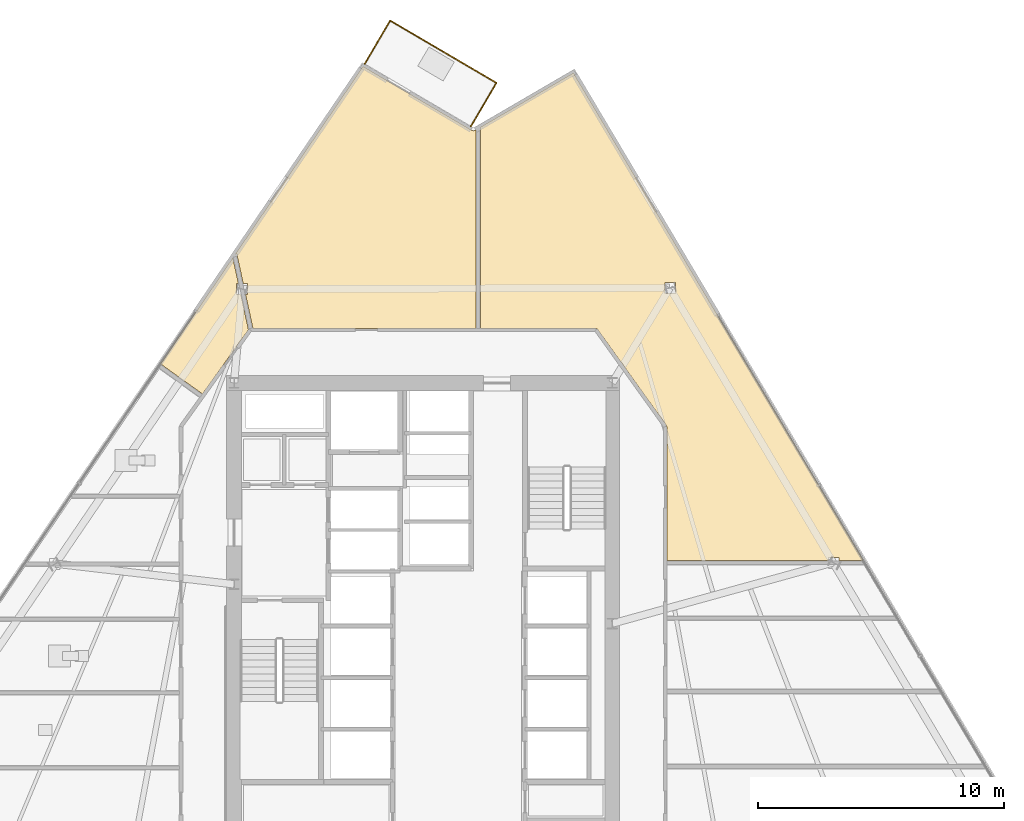
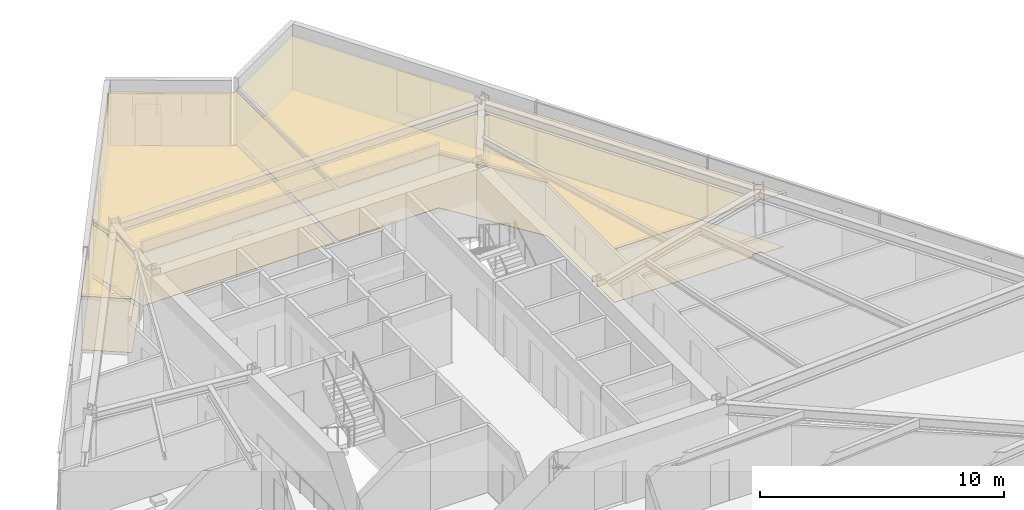
# One storey, part 14 of 15: 6 coverings, 3 railings.
"""IFC4 building model written with IfcOpenShell, lengths in metres."""

from ifc_helpers import new_model, si_unit, direction, frame, origin, origin_2d, place, context, subcontext, project, spatial, polyline, circle, outline, extrude, material, layer, layer_set, type_object, element, save


model = new_model("IFC4")

# Units and contexts
model_context = context("Model", 3, precision=1e-05, world=origin(), true_north=direction((0.0, 1.0)))
body_context = subcontext(model_context, "Body", "Model", "MODEL_VIEW")
ifc_project = project(units=[si_unit("LENGTHUNIT", "METRE"), si_unit("AREAUNIT", "SQUARE_METRE"), si_unit("VOLUMEUNIT", "CUBIC_METRE"), si_unit("PLANEANGLEUNIT", "RADIAN"), si_unit("MASSUNIT", "GRAM", prefix="KILO")], contexts=[model_context])

# Site, building, storey
site_placement = place(None, origin())
site = spatial("IfcSite", under=ifc_project, at=site_placement, CompositionType="ELEMENT")
building_placement = place(site_placement, origin())
building = spatial("IfcBuilding", under=site, at=building_placement, Name="Savorim Split Tower", CompositionType="ELEMENT")
storey_placement = place(building_placement, frame((0.0, 0.0, 96.89990234375)))
storey = spatial("IfcBuildingStorey", under=building, at=storey_placement, Name="L25", CompositionType="ELEMENT", Elevation=96.89990234375)

# Coverings
ifc_material_1 = material(Name="Mineral Fibre Acoustic Ceiling")
ifc_layer_1 = layer(ifc_material_1, 0.02490234375)
ifc_layer_set_1 = layer_set([ifc_layer_1], Name="COV-CEIL-25")
covering_type_1 = type_object("IfcCoveringType", Name="COV-CEIL-25", PredefinedType="CEILING", material=ifc_layer_set_1)
covering_1_placement = place(storey_placement, frame((0.0, 0.0, 2.670166015625)))
element("IfcCovering", 1, at=covering_1_placement, inside=storey, type_object=covering_type_1, Name="L25 Co-Working Commons Acoustic Ceiling", PredefinedType="CEILING", context=body_context, shape_type="SweptSolid", body=[
    extrude(outline(polyline([(17.9248046875, 2.967041015625), (17.926513671875, 2.967041015625), (6.120849609375, 22.821044921875), (2.3349609375, 20.61474609375), (2.3349609375, 12.419921875), (7.0, 12.419921875), (7.01318359375, 12.41943359375), (7.0263671875, 12.41748046875), (7.039306640625, 12.414306640625), (7.052001953125, 12.409912109375), (7.06396484375, 12.404541015625), (7.075439453125, 12.39794921875), (7.086181640625, 12.39013671875), (7.096435546875, 12.381591796875), (7.105712890625, 12.3720703125), (7.11376953125, 12.361572265625), (9.893798828125, 8.4814453125), (9.901611328125, 8.46923828125), (9.908203125, 8.456298828125), (9.913330078125, 8.44287109375), (9.9169921875, 8.4287109375), (9.919189453125, 8.41455078125), (9.919921875, 8.39990234375), (9.919921875, 2.967041015625), (16.506591796875, 2.967041015625), (16.506591796875, 3.094482421875), (16.935791015625, 3.094482421875), (16.935791015625, 2.967041015625), (17.9248046875, 2.967041015625)]), holes=[polyline([(10.276123046875, 14.29443359375), (9.84716796875, 14.29443359375), (9.84716796875, 13.849365234375), (10.276123046875, 13.849365234375), (10.276123046875, 14.29443359375)])]), origin(), (0.0, 0.0, 1.0), 0.02490234375),
])
covering_2_placement = place(storey_placement, frame((0.0, 0.0, 2.670166015625)))
element("IfcCovering", 2, at=covering_2_placement, inside=storey, type_object=covering_type_1, Name="L25 Co-Working Commons Acoustic Ceiling", PredefinedType="CEILING", context=body_context, shape_type="SweptSolid", body=[
    extrude(outline(polyline([(2.0068359375, 20.472412109375), (1.99609375, 20.476806640625), (1.986083984375, 20.482177734375), (-2.447265625, 23.087646484375), (-7.652587890625, 15.435791015625), (-7.586669921875, 15.4501953125), (-7.32568359375, 14.24560546875), (-7.159912109375, 14.24560546875), (-7.159912109375, 13.800537109375), (-7.22900390625, 13.800537109375), (-6.93359375, 12.4375), (-6.9296875, 12.419921875), (2.14501953125, 12.419921875), (2.14501953125, 20.50390625), (2.107177734375, 20.48193359375), (2.096923828125, 20.4765625), (2.086181640625, 20.472412109375), (2.0751953125, 20.468994140625), (2.06396484375, 20.466796875), (2.052490234375, 20.4658203125), (2.040771484375, 20.4658203125), (2.029296875, 20.466796875), (2.01806640625, 20.468994140625), (2.0068359375, 20.472412109375)])), origin(), (0.0, 0.0, 1.0), 0.02490234375),
])
covering_3_placement = place(storey_placement, frame((0.0, 0.0, 2.670166015625)))
element("IfcCovering", 3, at=covering_3_placement, inside=storey, type_object=covering_type_1, Name="L25 Quiet Study Room Acoustic Ceiling", PredefinedType="CEILING", context=body_context, shape_type="SweptSolid", body=[
    extrude(outline(polyline([(-8.985107421875, 9.749755859375), (-7.11376953125, 12.361572265625), (-7.112060546875, 12.36376953125), (-7.423583984375, 13.800537109375), (-7.589111328125, 13.800537109375), (-7.589111328125, 14.24560546875), (-7.52001953125, 14.24560546875), (-7.747802734375, 15.296142578125), (-10.68994140625, 10.97119140625), (-8.985107421875, 9.749755859375)])), origin(), (0.0, 0.0, 1.0), 0.02490234375),
])
ifc_material_2 = material(Name="Porcelain Stoneware Flooring", Category="masonry")
ifc_layer_2 = layer(ifc_material_2, 0.02001953125)
ifc_layer_set_2 = layer_set([ifc_layer_2], Name="COV-FLOR-20")
covering_type_2 = type_object("IfcCoveringType", Name="COV-FLOR-20", PredefinedType="FLOORING", material=ifc_layer_set_2)
covering_4_placement = place(storey_placement, origin())
element("IfcCovering", 4, at=covering_4_placement, inside=storey, type_object=covering_type_2, Name="L25 Co-Working Commons Porcelain Flooring", PredefinedType="FLOORING", context=body_context, shape_type="SweptSolid", body=[
    extrude(outline(polyline([(17.9248046875, 2.967041015625), (17.926513671875, 2.967041015625), (6.120849609375, 22.821044921875), (2.3349609375, 20.61474609375), (2.3349609375, 12.419921875), (7.0, 12.419921875), (7.01318359375, 12.41943359375), (7.0263671875, 12.41748046875), (7.039306640625, 12.414306640625), (7.052001953125, 12.409912109375), (7.06396484375, 12.404541015625), (7.075439453125, 12.39794921875), (7.086181640625, 12.39013671875), (7.096435546875, 12.381591796875), (7.105712890625, 12.3720703125), (7.11376953125, 12.361572265625), (9.893798828125, 8.4814453125), (9.901611328125, 8.46923828125), (9.908203125, 8.456298828125), (9.913330078125, 8.44287109375), (9.9169921875, 8.4287109375), (9.919189453125, 8.41455078125), (9.919921875, 8.39990234375), (9.919921875, 2.967041015625), (16.506591796875, 2.967041015625), (16.506591796875, 3.094482421875), (16.935791015625, 3.094482421875), (16.935791015625, 2.967041015625), (17.9248046875, 2.967041015625)]), holes=[polyline([(10.276123046875, 14.29443359375), (9.84716796875, 14.29443359375), (9.84716796875, 13.849365234375), (10.276123046875, 13.849365234375), (10.276123046875, 14.29443359375)])]), origin(), (0.0, 0.0, 1.0), 0.02001953125),
])
covering_5_placement = place(storey_placement, origin())
element("IfcCovering", 5, at=covering_5_placement, inside=storey, type_object=covering_type_2, Name="L25 Co-Working Commons Porcelain Flooring", PredefinedType="FLOORING", context=body_context, shape_type="SweptSolid", body=[
    extrude(outline(polyline([(2.0068359375, 20.472412109375), (1.99609375, 20.476806640625), (1.986083984375, 20.482177734375), (-2.447265625, 23.087646484375), (-7.652587890625, 15.435791015625), (-7.586669921875, 15.4501953125), (-7.32568359375, 14.24560546875), (-7.159912109375, 14.24560546875), (-7.159912109375, 13.800537109375), (-7.22900390625, 13.800537109375), (-6.93359375, 12.4375), (-6.9296875, 12.419921875), (2.14501953125, 12.419921875), (2.14501953125, 20.50390625), (2.107177734375, 20.48193359375), (2.096923828125, 20.4765625), (2.086181640625, 20.472412109375), (2.0751953125, 20.468994140625), (2.06396484375, 20.466796875), (2.052490234375, 20.4658203125), (2.040771484375, 20.4658203125), (2.029296875, 20.466796875), (2.01806640625, 20.468994140625), (2.0068359375, 20.472412109375)])), origin(), (0.0, 0.0, 1.0), 0.02001953125),
])
covering_6_placement = place(storey_placement, origin())
element("IfcCovering", 6, at=covering_6_placement, inside=storey, type_object=covering_type_2, Name="L25 Quiet Study Room Porcelain Flooring", PredefinedType="FLOORING", context=body_context, shape_type="SweptSolid", body=[
    extrude(outline(polyline([(-8.985107421875, 9.749755859375), (-7.11376953125, 12.361572265625), (-7.112060546875, 12.36376953125), (-7.423583984375, 13.800537109375), (-7.589111328125, 13.800537109375), (-7.589111328125, 14.24560546875), (-7.52001953125, 14.24560546875), (-7.747802734375, 15.296142578125), (-10.68994140625, 10.97119140625), (-8.985107421875, 9.749755859375)])), origin(), (0.0, 0.0, 1.0), 0.02001953125),
])

# Railings
ifc_material_3 = material(Name="Galvanised Painted Steel Balustrade", Category="steel")
railing_type = type_object("IfcRailingType", Name="RLG-BAL-1100", PredefinedType="BALUSTRADE", material=ifc_material_3)
railing_1_placement = place(storey_placement, frame((-2.3798828125, 23.187255859375, 0.0)))
element("IfcRailing", 7, at=railing_1_placement, inside=storey, type_object=railing_type, Name="L25 Tree Balcony Guardrail N-1", PredefinedType="BALUSTRADE", context=body_context, shape_type="SweptSolid", body=[
    extrude(circle(Radius=0.02392578125, at=origin_2d()), frame((0.0, 0.0, 1.076171875), z_axis=(0.506733850669, 0.862102548764, 0.0), x_axis=(-0.862102548764, 0.506733850669, 0.0)), (0.0, 0.0, 1.0), 2.050048828125),
    extrude(circle(Radius=0.02099609375, at=origin_2d()), origin(), (0.0, 0.0, 1.0), 1.052001953125),
    extrude(circle(Radius=0.02099609375, at=origin_2d()), frame((0.51953125, 0.8837890625, 0.0)), (0.0, 0.0, 1.0), 1.052001953125),
    extrude(circle(Radius=0.02099609375, at=origin_2d()), frame((1.038818359375, 1.767333984375, 0.0)), (0.0, 0.0, 1.0), 1.052001953125),
])
railing_2_placement = place(storey_placement, frame((-1.341064453125, 24.95458984375, 0.0)))
element("IfcRailing", 8, at=railing_2_placement, inside=storey, type_object=railing_type, Name="L25 Tree Balcony Guardrail N-2", PredefinedType="BALUSTRADE", context=body_context, shape_type="SweptSolid", body=[
    extrude(circle(Radius=0.02392578125, at=origin_2d()), frame((0.0, 0.0, 1.076171875), z_axis=(0.862123150864, -0.506698798839, 0.0), x_axis=(0.506698798839, 0.862123150864, 0.0)), (0.0, 0.0, 1.0), 5.014404296875),
    extrude(circle(Radius=0.02099609375, at=origin_2d()), origin(), (0.0, 0.0, 1.0), 1.052001953125),
    extrude(circle(Radius=0.02099609375, at=origin_2d()), frame((0.864501953125, -0.508056640625, 0.0)), (0.0, 0.0, 1.0), 1.052001953125),
    extrude(circle(Radius=0.02099609375, at=origin_2d()), frame((1.729248046875, -1.016357421875, 0.0)), (0.0, 0.0, 1.0), 1.052001953125),
    extrude(circle(Radius=0.02099609375, at=origin_2d()), frame((2.59375, -1.5244140625, 0.0)), (0.0, 0.0, 1.0), 1.052001953125),
    extrude(circle(Radius=0.02099609375, at=origin_2d()), frame((3.45849609375, -2.03271484375, 0.0)), (0.0, 0.0, 1.0), 1.052001953125),
    extrude(circle(Radius=0.02099609375, at=origin_2d()), frame((4.322998046875, -2.540771484375, 0.0)), (0.0, 0.0, 1.0), 1.052001953125),
])
railing_3_placement = place(storey_placement, frame((2.98193359375, 22.413818359375, 0.0)))
element("IfcRailing", 9, at=railing_3_placement, inside=storey, type_object=railing_type, Name="L25 Tree Balcony Guardrail N-3", PredefinedType="BALUSTRADE", context=body_context, shape_type="SweptSolid", body=[
    extrude(circle(Radius=0.02392578125, at=origin_2d()), frame((0.0, 0.0, 1.076171875), z_axis=(-0.50664533146, -0.862154573211, 0.0), x_axis=(0.862154573211, -0.50664533146, 0.0)), (0.0, 0.0, 1.0), 2.0498046875),
    extrude(circle(Radius=0.02099609375, at=origin_2d()), origin(), (0.0, 0.0, 1.0), 1.052001953125),
    extrude(circle(Radius=0.02099609375, at=origin_2d()), frame((-0.519287109375, -0.8837890625, 0.0)), (0.0, 0.0, 1.0), 1.052001953125),
    extrude(circle(Radius=0.02099609375, at=origin_2d()), frame((-1.03857421875, -1.767333984375, 0.0)), (0.0, 0.0, 1.0), 1.052001953125),
])

save(model, "model.ifc")
